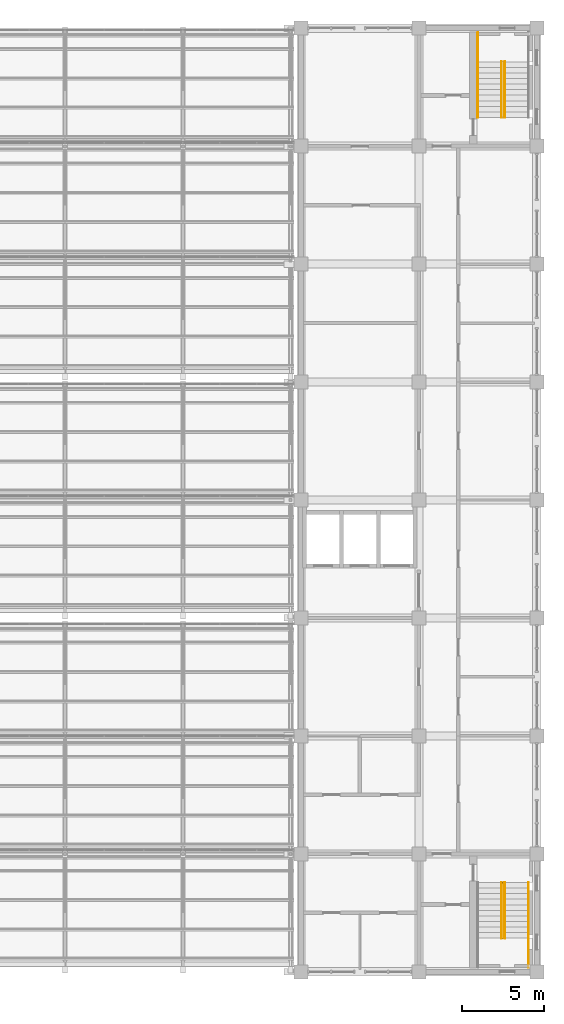
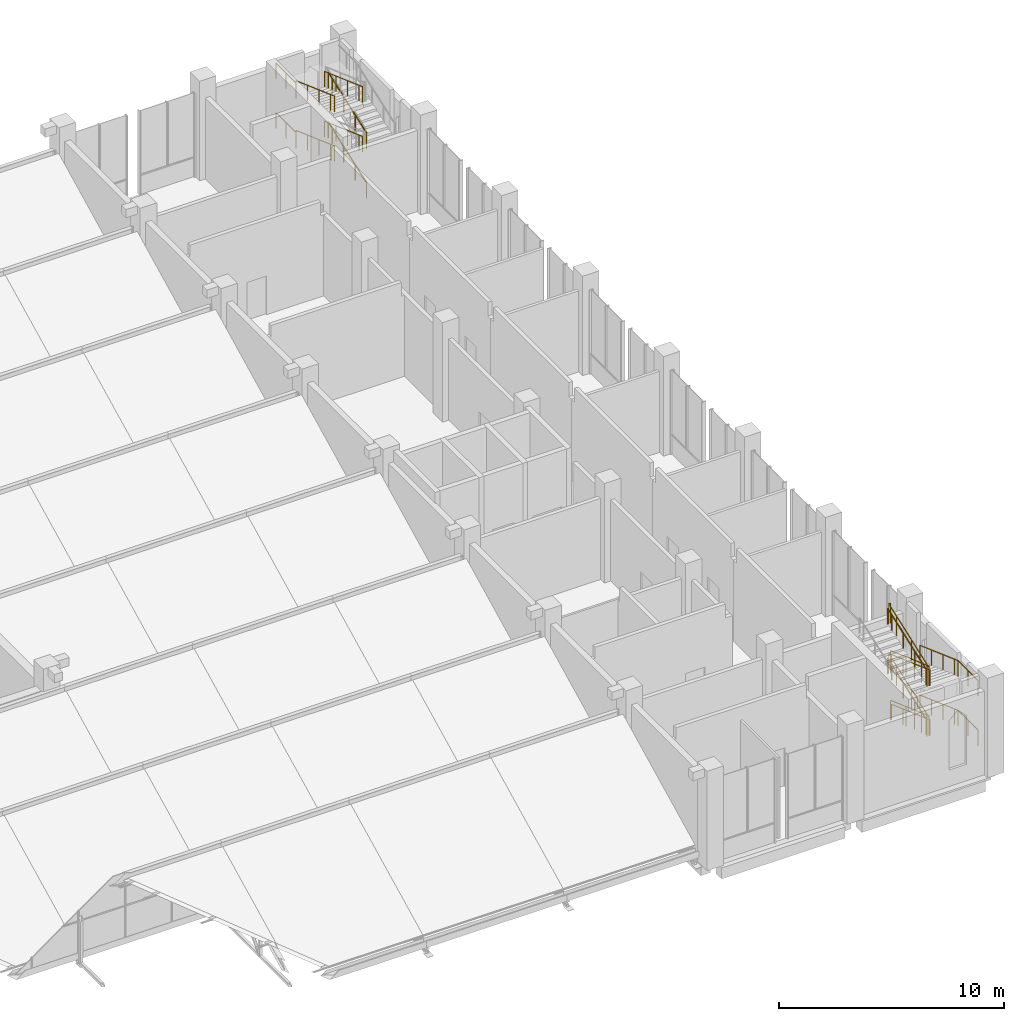
# One storey, part 82 of 83: 13 railings.
"""IFC4 building model written with IfcOpenShell, lengths in metres."""

import ifcopenshell
import ifcopenshell.guid

model = None  # the IFC model being written
_history = None  # IfcOwnerHistory: only IFC2X3 demands one
_inside = {}  # id of a spatial element -> (the spatial element, [elements in it])
_under = {}  # id of a project, library or spatial element -> (it, [spatial elements below it])
_declared = {}  # id of a project -> (the project, [libraries it declares])
_typed = {}  # id of a type object -> (the type object, [elements of that type])
_made_of = {}  # id of a material, layer set ... -> (it, [elements and type objects made of it])


def new_model(schema):
    """Start an empty IFC model of exactly this schema.

    Asked for "IFC4X3", IfcOpenShell would pick the latest addendum, in which some entities
    have other attributes; the version numbers below select the first issue.
    IFC2X3 requires an IfcOwnerHistory on every rooted entity: one is made here for all.
    """
    global model, _history
    if schema == "IFC4X3":
        model = ifcopenshell.file(schema_version=(4, 3, 0, 0))
    else:
        model = ifcopenshell.file(schema=schema)
    _inside.clear()
    _under.clear()
    _declared.clear()
    _typed.clear()
    _made_of.clear()
    _history = None
    if model.schema == "IFC2X3":
        org = make("IfcOrganization", Name="unknown")
        user = make(
            "IfcPersonAndOrganization",
            ThePerson=make("IfcPerson", FamilyName="unknown"),
            TheOrganization=org,
        )
        app = make(
            "IfcApplication",
            ApplicationDeveloper=org,
            Version="unknown",
            ApplicationFullName="unknown",
            ApplicationIdentifier="unknown",
        )
        _history = make(
            "IfcOwnerHistory",
            OwningUser=user,
            OwningApplication=app,
            ChangeAction="ADDED",
            CreationDate=0,
        )
    return model


def make(cls, **values):
    """One entity of the class cls with the attributes given. An attribute that is None is left unset."""
    return model.create_entity(
        cls, **{name: value for name, value in values.items() if value is not None}
    )


def rooted(cls, **values):
    """An entity with a GlobalId (a new one), such as an element, a storey or a relation."""
    return make(cls, GlobalId=ifcopenshell.guid.new(), OwnerHistory=_history, **values)


def si_unit(unit_type, name, prefix=None):
    """IfcSIUnit, for example si_unit("LENGTHUNIT", "METRE", prefix="MILLI")."""
    return make("IfcSIUnit", UnitType=unit_type, Prefix=prefix, Name=name)


def assignment(units):
    """IfcUnitAssignment: the units of a project."""
    return None if units is None else make("IfcUnitAssignment", Units=units)


def point(xyz):
    """IfcCartesianPoint."""
    return None if xyz is None else make("IfcCartesianPoint", Coordinates=xyz)


def direction(xyz):
    """IfcDirection."""
    return None if xyz is None else make("IfcDirection", DirectionRatios=xyz)


def frame(location, z_axis=None, x_axis=None):
    """IfcAxis2Placement3D, a coordinate frame: its origin and axes. An axis left out is left unset."""
    return make(
        "IfcAxis2Placement3D",
        Location=point(location),
        Axis=direction(z_axis),
        RefDirection=direction(x_axis),
    )


def frame_2d(location, x_axis=None):
    """IfcAxis2Placement2D, a coordinate frame in the plane: its origin and x axis."""
    return make(
        "IfcAxis2Placement2D", Location=point(location), RefDirection=direction(x_axis)
    )


def origin():
    """The frame at (0, 0, 0) with its axes left unset."""
    return frame((0.0, 0.0, 0.0))


def origin_2d():
    """The frame at (0, 0) in the plane with its x axis left unset."""
    return frame_2d((0.0, 0.0))


def place(relative_to, where):
    """IfcLocalPlacement: puts the frame where relative to a parent placement (None: the world)."""
    return make(
        "IfcLocalPlacement", PlacementRelTo=relative_to, RelativePlacement=where
    )


def context(
    kind, dimensions, precision=None, world=None, true_north=None, identifier=None
):
    """IfcGeometricRepresentationContext, for example the 3D "Model" context."""
    return make(
        "IfcGeometricRepresentationContext",
        ContextIdentifier=identifier,
        ContextType=kind,
        CoordinateSpaceDimension=dimensions,
        Precision=precision,
        WorldCoordinateSystem=world,
        TrueNorth=true_north,
    )


def subcontext(parent, identifier, kind, view, scale=None):
    """IfcGeometricRepresentationSubContext, for example "Body" below "Model"."""
    return make(
        "IfcGeometricRepresentationSubContext",
        ContextIdentifier=identifier,
        ContextType=kind,
        ParentContext=parent,
        TargetScale=scale,
        TargetView=view,
    )


def project(units=None, contexts=None):
    """IfcProject with its units and contexts."""
    return rooted(
        "IfcProject",
        Name="project",
        RepresentationContexts=contexts,
        UnitsInContext=assignment(units),
    )


def spatial(cls, under=None, at=None, **own):
    """A site, building, storey or space (cls), placed at a placement, below another one or the project."""
    s = rooted(cls, ObjectPlacement=at, **own)
    if under is not None:
        _under.setdefault(under.id(), (under, []))[1].append(s)
    return s


def profile(cls, at=None, kind="AREA", **sizes):
    """A parametric profile (cls). Its sizes go by their IFC names, for example OverallWidth=200.0."""
    return make(cls, ProfileType=kind, Position=at, **sizes)


def circle(**sizes):
    """IfcCircleProfileDef."""
    return profile("IfcCircleProfileDef", **sizes)


def extrude(swept, where, along, depth):
    """IfcExtrudedAreaSolid: the profile swept, set in the frame where, extruded along a direction by depth."""
    return make(
        "IfcExtrudedAreaSolid",
        SweptArea=swept,
        Position=where,
        ExtrudedDirection=direction(along),
        Depth=depth,
    )


def shape(context_of_items, identifier, shape_type, items):
    """IfcShapeRepresentation: the items that make up one representation, for example the "Body"."""
    return make(
        "IfcShapeRepresentation",
        ContextOfItems=context_of_items,
        RepresentationIdentifier=identifier,
        RepresentationType=shape_type,
        Items=items,
    )


def material(Name=None, Category=None):
    """IfcMaterial."""
    return make("IfcMaterial", Name=Name, Category=Category)


def made_of(thing, what):
    """Note that an element or type object is made of a material, layer set ...; save() writes the relation."""
    if what is not None:
        _made_of.setdefault(what.id(), (what, []))[1].append(thing)
    return thing


def type_object(cls, material=None, **own):
    """A type object (cls), such as IfcWallType, which elements share."""
    return made_of(rooted(cls, **own), material)


def element(
    cls,
    number,
    at=None,
    inside=None,
    cuts=None,
    type_object=None,
    material=None,
    context=None,
    identifier="Body",
    shape_type=None,
    held_by="IfcProductDefinitionShape",
    body=None,
    shapes=None,
    **own,
):
    """One element of the class cls, such as IfcWall. Its Tag is "e" and its number.

    at: its placement. inside: the storey or other place that contains it. cuts: it is an
    opening in that element (IfcRelVoidsElement). A single representation is given by context,
    identifier, shape_type and body (its items); several are given by shapes. held_by: the class
    of the entity that holds the representations. save() writes the other relations.
    """
    e = rooted(cls, Tag="e%d" % number, ObjectPlacement=at, **own)
    if body is not None:
        shapes = [shape(context, identifier, shape_type, body)]
    if shapes is not None:
        e.Representation = make(held_by, Representations=shapes)
    if inside is not None:
        _inside.setdefault(inside.id(), (inside, []))[1].append(e)
    if cuts is not None:
        rooted(
            "IfcRelVoidsElement", RelatingBuildingElement=cuts, RelatedOpeningElement=e
        )
    if type_object is not None:
        _typed.setdefault(type_object.id(), (type_object, []))[1].append(e)
    return made_of(e, material)


def aggregate(whole, parts):
    """IfcRelAggregates: a whole, such as a stair, and the parts it consists of."""
    return rooted("IfcRelAggregates", RelatingObject=whole, RelatedObjects=parts)


def save(model, path):
    """Write the relations noted so far, then the file.

    IfcRelAggregates (storeys below a building ...), IfcRelContainedInSpatialStructure (elements
    in a storey), IfcRelDefinesByType, IfcRelAssociatesMaterial and IfcRelDeclares: one each for
    every whole, place, type object, material and project.
    """
    for whole, parts in _under.values():
        aggregate(whole, parts)
    for where, things in _inside.values():
        rooted(
            "IfcRelContainedInSpatialStructure",
            RelatedElements=things,
            RelatingStructure=where,
        )
    for kind, things in _typed.values():
        rooted("IfcRelDefinesByType", RelatedObjects=things, RelatingType=kind)
    for what, things in _made_of.values():
        rooted("IfcRelAssociatesMaterial", RelatedObjects=things, RelatingMaterial=what)
    for by, libraries in _declared.values():
        rooted("IfcRelDeclares", RelatingContext=by, RelatedDefinitions=libraries)
    model.write(path)


model = new_model("IFC4")

# Units and contexts
model_context = context("Model", 3, precision=1e-05, world=origin(), true_north=direction((0.0, 1.0)))
body_context = subcontext(model_context, "Body", "Model", "MODEL_VIEW")
ifc_project = project(units=[si_unit("LENGTHUNIT", "METRE"), si_unit("AREAUNIT", "SQUARE_METRE"), si_unit("VOLUMEUNIT", "CUBIC_METRE"), si_unit("PLANEANGLEUNIT", "RADIAN"), si_unit("MASSUNIT", "GRAM", prefix="KILO")], contexts=[model_context])

# Site, building, storey
site_placement = place(None, origin())
site = spatial("IfcSite", under=ifc_project, at=site_placement, CompositionType="ELEMENT")
building_placement = place(site_placement, origin())
building = spatial("IfcBuilding", under=site, at=building_placement, Name="Silangan Lancet Faculty of Sciences", CompositionType="ELEMENT")
storey_placement = place(building_placement, frame((0.0, 0.0, 11.39990234375)))
storey = spatial("IfcBuildingStorey", under=building, at=storey_placement, Name="L02", CompositionType="ELEMENT", Elevation=11.39990234375)

# Railings
ifc_material_1 = material(Name="Steel balustrade", Category="steel")
railing_type_1 = type_object("IfcRailingType", Name="STAIR GUARD 1100", PredefinedType="GUARDRAIL", material=ifc_material_1)
railing_1_placement = place(storey_placement, frame((84.39990234375, 5.449951171875, 0.122802734375)))
element("IfcRailing", 1, at=railing_1_placement, inside=storey, type_object=railing_type_1, Name="GUARD-EB-A-L02", PredefinedType="GUARDRAIL", context=body_context, shape_type="SweptSolid", body=[
    extrude(circle(Radius=0.02392578125, at=origin_2d()), frame((0.0, 0.0, 1.076171875), z_axis=(0.0, -0.940611573742, 0.339484708555), x_axis=(1.0, 0.0, 0.0)), (0.0, 0.0, 1.0), 2.8916015625),
    extrude(circle(Radius=0.02392578125, at=origin_2d()), frame((0.0, -2.719970703125, 2.0576171875), z_axis=(0.0, -0.940520931127, 0.339735747474), x_axis=(1.0, 0.0, 0.0)), (0.0, 0.0, 1.0), 0.722900390625),
    extrude(circle(Radius=0.02392578125, at=origin_2d()), frame((0.0, -3.39990234375, 2.30322265625), z_axis=(-1.0, 0.0, 0.0), x_axis=(0.0, -1.0, 0.0)), (0.0, 0.0, 1.0), 0.099853515625),
    extrude(circle(Radius=0.02392578125, at=origin_2d()), frame((-0.099853515625, -3.39990234375, 2.30322265625), z_axis=(0.0, 0.0, 1.0), x_axis=(1.0, 0.0, 0.0)), (0.0, 0.0, 1.0), 0.122802734375),
    extrude(circle(Radius=0.02392578125, at=origin_2d()), frame((-0.099853515625, -3.39990234375, 2.42626953125), z_axis=(0.0, 0.940611573742, 0.339484708555), x_axis=(-1.0, 0.0, 0.0)), (0.0, 0.0, 1.0), 2.8916015625),
    extrude(circle(Radius=0.02392578125, at=origin_2d()), frame((-0.099853515625, -0.679931640625, 3.40771484375), z_axis=(0.0, 0.940520931127, 0.339735747474), x_axis=(-1.0, 0.0, 0.0)), (0.0, 0.0, 1.0), 0.722900390625),
    extrude(circle(Radius=0.02392578125, at=origin_2d()), frame((-0.099853515625, 0.0, 3.6533203125), z_axis=(1.0, 0.0, 0.0), x_axis=(0.0, 1.0, 0.0)), (0.0, 0.0, 1.0), 0.099853515625),
    extrude(circle(Radius=0.02392578125, at=origin_2d()), frame((0.0, 0.0, 3.6533203125), z_axis=(0.0, 0.0, 1.0), x_axis=(1.0, 0.0, 0.0)), (0.0, 0.0, 1.0), 0.12255859375),
    extrude(circle(Radius=0.02392578125, at=origin_2d()), frame((0.0, 0.0, 3.77587890625), z_axis=(0.0, -0.940584611748, 0.339559402967), x_axis=(1.0, 0.0, 0.0)), (0.0, 0.0, 1.0), 2.891845703125),
    extrude(circle(Radius=0.02392578125, at=origin_2d()), frame((0.0, -2.719970703125, 4.7578125), z_axis=(0.0, -0.940628803885, 0.339436965136), x_axis=(1.0, 0.0, 0.0)), (0.0, 0.0, 1.0), 0.722900390625),
    extrude(circle(Radius=0.02392578125, at=origin_2d()), frame((0.0, -3.39990234375, 5.00341796875), z_axis=(-1.0, 0.0, 0.0), x_axis=(0.0, -1.0, 0.0)), (0.0, 0.0, 1.0), 0.099853515625),
    extrude(circle(Radius=0.02392578125, at=origin_2d()), frame((-0.099853515625, -3.39990234375, 5.00341796875), z_axis=(0.0, 0.0, 1.0), x_axis=(1.0, 0.0, 0.0)), (0.0, 0.0, 1.0), 0.122802734375),
    extrude(circle(Radius=0.02392578125, at=origin_2d()), frame((-0.099853515625, -3.39990234375, 5.1259765625), z_axis=(0.0, 0.940611573742, 0.339484708555), x_axis=(-1.0, 0.0, 0.0)), (0.0, 0.0, 1.0), 2.8916015625),
    extrude(circle(Radius=0.02392578125, at=origin_2d()), frame((-0.099853515625, -0.679931640625, 6.10791015625), z_axis=(0.0, 0.940520931127, 0.339735747474), x_axis=(-1.0, 0.0, 0.0)), (0.0, 0.0, 1.0), 0.722900390625),
    extrude(circle(Radius=0.02392578125, at=origin_2d()), frame((-0.099853515625, 0.0, 6.353515625), z_axis=(1.0, 0.0, 0.0), x_axis=(0.0, 1.0, 0.0)), (0.0, 0.0, 1.0), 0.099853515625),
    extrude(circle(Radius=0.02099609375, at=origin_2d()), origin(), (0.0, 0.0, 1.0), 1.052001953125),
    extrude(circle(Radius=0.02099609375, at=origin_2d()), frame((0.0, -1.35986328125, 0.49072265625)), (0.0, 0.0, 1.0), 1.052001953125),
    extrude(circle(Radius=0.02099609375, at=origin_2d()), frame((0.0, -2.719970703125, 0.981689453125)), (0.0, 0.0, 1.0), 1.052001953125),
    extrude(circle(Radius=0.02099609375, at=origin_2d()), frame((0.0, -3.39990234375, 1.227294921875)), (0.0, 0.0, 1.0), 1.052001953125),
    extrude(circle(Radius=0.02099609375, at=origin_2d()), frame((-0.099853515625, -3.39990234375, 1.227294921875)), (0.0, 0.0, 1.0), 1.052001953125),
    extrude(circle(Radius=0.02099609375, at=origin_2d()), frame((-0.099853515625, -3.39990234375, 1.35009765625)), (0.0, 0.0, 1.0), 1.052001953125),
    extrude(circle(Radius=0.02099609375, at=origin_2d()), frame((-0.099853515625, -2.0400390625, 1.8408203125)), (0.0, 0.0, 1.0), 1.052001953125),
    extrude(circle(Radius=0.02099609375, at=origin_2d()), frame((-0.099853515625, -0.679931640625, 2.331787109375)), (0.0, 0.0, 1.0), 1.052001953125),
    extrude(circle(Radius=0.02099609375, at=origin_2d()), frame((-0.099853515625, 0.0, 2.577392578125)), (0.0, 0.0, 1.0), 1.052001953125),
    extrude(circle(Radius=0.02099609375, at=origin_2d()), frame((0.0, 0.0, 2.577392578125)), (0.0, 0.0, 1.0), 1.052001953125),
    extrude(circle(Radius=0.02099609375, at=origin_2d()), frame((0.0, 0.0, 2.699951171875)), (0.0, 0.0, 1.0), 1.052001953125),
    extrude(circle(Radius=0.02099609375, at=origin_2d()), frame((0.0, -1.35986328125, 3.19091796875)), (0.0, 0.0, 1.0), 1.052001953125),
    extrude(circle(Radius=0.02099609375, at=origin_2d()), frame((0.0, -2.719970703125, 3.681884765625)), (0.0, 0.0, 1.0), 1.052001953125),
    extrude(circle(Radius=0.02099609375, at=origin_2d()), frame((0.0, -3.39990234375, 3.92724609375)), (0.0, 0.0, 1.0), 1.052001953125),
    extrude(circle(Radius=0.02099609375, at=origin_2d()), frame((-0.099853515625, -3.39990234375, 3.92724609375)), (0.0, 0.0, 1.0), 1.052001953125),
    extrude(circle(Radius=0.02099609375, at=origin_2d()), frame((-0.099853515625, -3.39990234375, 4.050048828125)), (0.0, 0.0, 1.0), 1.052001953125),
    extrude(circle(Radius=0.02099609375, at=origin_2d()), frame((-0.099853515625, -2.0400390625, 4.541015625)), (0.0, 0.0, 1.0), 1.052001953125),
    extrude(circle(Radius=0.02099609375, at=origin_2d()), frame((-0.099853515625, -0.679931640625, 5.03173828125)), (0.0, 0.0, 1.0), 1.052001953125),
    extrude(circle(Radius=0.02099609375, at=origin_2d()), frame((-0.099853515625, 0.0, 5.27734375)), (0.0, 0.0, 1.0), 1.052001953125),
    extrude(circle(Radius=0.02099609375, at=origin_2d()), frame((0.0, 0.0, 5.27734375)), (0.0, 0.0, 1.0), 1.052001953125),
])
ifc_material_2 = material(Name="Stainless steel", Category="steel")
railing_type_2 = type_object("IfcRailingType", Name="STAIR HANDRAIL 865", PredefinedType="HANDRAIL", material=ifc_material_2)
railing_2_placement = place(storey_placement, frame((85.89990234375, 5.449951171875, 0.122802734375)))
element("IfcRailing", 2, at=railing_2_placement, inside=storey, type_object=railing_type_2, Name="HANDRAIL-EB-A-L02-O1", PredefinedType="HANDRAIL", context=body_context, shape_type="SweptSolid", body=[
    extrude(circle(Radius=0.02392578125, at=origin_2d()), frame((0.0, 0.0, 0.8408203125), z_axis=(0.0, -0.94060583065, 0.339500620541), x_axis=(1.0, 0.0, 0.0)), (0.0, 0.0, 1.0), 1.08447265625),
    extrude(circle(Radius=0.02392578125, at=origin_2d()), frame((0.0, -1.02001953125, 1.208984375), z_axis=(0.0, -0.94060583065, 0.339500620541), x_axis=(1.0, 0.0, 0.0)), (0.0, 0.0, 1.0), 1.08447265625),
    extrude(circle(Radius=0.02392578125, at=origin_2d()), frame((0.0, -2.0400390625, 1.5771484375), z_axis=(0.0, -0.94060583065, 0.339500620541), x_axis=(1.0, 0.0, 0.0)), (0.0, 0.0, 1.0), 1.08447265625),
    extrude(circle(Radius=0.02392578125, at=origin_2d()), frame((0.0, -3.06005859375, 1.9453125), z_axis=(0.0, -0.940481933992, 0.339843687355), x_axis=(1.0, 0.0, 0.0)), (0.0, 0.0, 1.0), 0.361328125),
    extrude(circle(Radius=0.02392578125, at=origin_2d()), frame((0.0, -3.39990234375, 2.068359375), z_axis=(0.0, -1.0, 0.0), x_axis=(1.0, 0.0, 0.0)), (0.0, 0.0, 1.0), 1.775146484375),
    extrude(circle(Radius=0.02099609375, at=origin_2d()), origin(), (0.0, 0.0, 1.0), 0.81689453125),
    extrude(circle(Radius=0.02099609375, at=origin_2d()), frame((0.0, -1.02001953125, 0.3681640625)), (0.0, 0.0, 1.0), 0.81689453125),
    extrude(circle(Radius=0.02099609375, at=origin_2d()), frame((0.0, -2.0400390625, 0.736328125)), (0.0, 0.0, 1.0), 0.81689453125),
    extrude(circle(Radius=0.02099609375, at=origin_2d()), frame((0.0, -3.06005859375, 1.1044921875)), (0.0, 0.0, 1.0), 0.81689453125),
    extrude(circle(Radius=0.02099609375, at=origin_2d()), frame((0.0, -3.39990234375, 1.227294921875)), (0.0, 0.0, 1.0), 0.81689453125),
    extrude(circle(Radius=0.02099609375, at=origin_2d()), frame((0.0, -4.28759765625, 1.227294921875)), (0.0, 0.0, 1.0), 0.81689453125),
    extrude(circle(Radius=0.02099609375, at=origin_2d()), frame((0.0, -5.175048828125, 1.227294921875)), (0.0, 0.0, 1.0), 0.81689453125),
])
railing_3_placement = place(storey_placement, frame((84.449951171875, 5.449951171875, 0.122802734375)))
element("IfcRailing", 3, at=railing_3_placement, inside=storey, type_object=railing_type_2, Name="HANDRAIL-EB-A-L02-I1", PredefinedType="HANDRAIL", context=body_context, shape_type="SweptSolid", body=[
    extrude(circle(Radius=0.02392578125, at=origin_2d()), frame((0.0, 0.0, 0.8408203125), z_axis=(0.0, -0.94060583065, 0.339500620541), x_axis=(1.0, 0.0, 0.0)), (0.0, 0.0, 1.0), 1.08447265625),
    extrude(circle(Radius=0.02392578125, at=origin_2d()), frame((0.0, -1.02001953125, 1.208984375), z_axis=(0.0, -0.94060583065, 0.339500620541), x_axis=(1.0, 0.0, 0.0)), (0.0, 0.0, 1.0), 1.08447265625),
    extrude(circle(Radius=0.02392578125, at=origin_2d()), frame((0.0, -2.0400390625, 1.5771484375), z_axis=(0.0, -0.94060583065, 0.339500620541), x_axis=(1.0, 0.0, 0.0)), (0.0, 0.0, 1.0), 1.08447265625),
    extrude(circle(Radius=0.02392578125, at=origin_2d()), frame((0.0, -3.06005859375, 1.9453125), z_axis=(0.0, -0.940481933992, 0.339843687355), x_axis=(1.0, 0.0, 0.0)), (0.0, 0.0, 1.0), 0.361328125),
    extrude(circle(Radius=0.02099609375, at=origin_2d()), origin(), (0.0, 0.0, 1.0), 0.81689453125),
    extrude(circle(Radius=0.02099609375, at=origin_2d()), frame((0.0, -1.02001953125, 0.3681640625)), (0.0, 0.0, 1.0), 0.81689453125),
    extrude(circle(Radius=0.02099609375, at=origin_2d()), frame((0.0, -2.0400390625, 0.736328125)), (0.0, 0.0, 1.0), 0.81689453125),
    extrude(circle(Radius=0.02099609375, at=origin_2d()), frame((0.0, -3.06005859375, 1.1044921875)), (0.0, 0.0, 1.0), 0.81689453125),
    extrude(circle(Radius=0.02099609375, at=origin_2d()), frame((0.0, -3.39990234375, 1.227294921875)), (0.0, 0.0, 1.0), 0.81689453125),
])
railing_4_placement = place(storey_placement, frame((84.25, 2.050048828125, 1.472900390625)))
element("IfcRailing", 4, at=railing_4_placement, inside=storey, type_object=railing_type_2, Name="HANDRAIL-EB-A-L02-I2", PredefinedType="HANDRAIL", context=body_context, shape_type="SweptSolid", body=[
    extrude(circle(Radius=0.02392578125, at=origin_2d()), frame((0.0, 0.0, 0.8408203125), z_axis=(0.0, 0.94060583065, 0.339500620541), x_axis=(-1.0, 0.0, 0.0)), (0.0, 0.0, 1.0), 1.08447265625),
    extrude(circle(Radius=0.02392578125, at=origin_2d()), frame((0.0, 1.02001953125, 1.208984375), z_axis=(0.0, 0.94060583065, 0.339500620541), x_axis=(-1.0, 0.0, 0.0)), (0.0, 0.0, 1.0), 1.08447265625),
    extrude(circle(Radius=0.02392578125, at=origin_2d()), frame((0.0, 2.0400390625, 1.5771484375), z_axis=(0.0, 0.94060583065, 0.339500620541), x_axis=(-1.0, 0.0, 0.0)), (0.0, 0.0, 1.0), 1.08447265625),
    extrude(circle(Radius=0.02392578125, at=origin_2d()), frame((0.0, 3.06005859375, 1.9453125), z_axis=(0.0, 0.940481933992, 0.339843687355), x_axis=(-1.0, 0.0, 0.0)), (0.0, 0.0, 1.0), 0.361328125),
    extrude(circle(Radius=0.02099609375, at=origin_2d()), origin(), (0.0, 0.0, 1.0), 0.81689453125),
    extrude(circle(Radius=0.02099609375, at=origin_2d()), frame((0.0, 1.02001953125, 0.3681640625)), (0.0, 0.0, 1.0), 0.81689453125),
    extrude(circle(Radius=0.02099609375, at=origin_2d()), frame((0.0, 2.0400390625, 0.736328125)), (0.0, 0.0, 1.0), 0.81689453125),
    extrude(circle(Radius=0.02099609375, at=origin_2d()), frame((0.0, 3.06005859375, 1.1044921875)), (0.0, 0.0, 1.0), 0.81689453125),
    extrude(circle(Radius=0.02099609375, at=origin_2d()), frame((0.0, 3.39990234375, 1.227294921875)), (0.0, 0.0, 1.0), 0.81689453125),
])
railing_5_placement = place(storey_placement, frame((85.89990234375, 5.449951171875, 2.82275390625)))
element("IfcRailing", 5, at=railing_5_placement, inside=storey, type_object=railing_type_2, Name="HANDRAIL-EB-A-L02-O3", PredefinedType="HANDRAIL", context=body_context, shape_type="SweptSolid", body=[
    extrude(circle(Radius=0.02392578125, at=origin_2d()), frame((0.0, 0.0, 0.8408203125), z_axis=(0.0, -0.94060583065, 0.339500620541), x_axis=(1.0, 0.0, 0.0)), (0.0, 0.0, 1.0), 1.08447265625),
    extrude(circle(Radius=0.02392578125, at=origin_2d()), frame((0.0, -1.02001953125, 1.208984375), z_axis=(0.0, -0.94060583065, 0.339500620541), x_axis=(1.0, 0.0, 0.0)), (0.0, 0.0, 1.0), 1.08447265625),
    extrude(circle(Radius=0.02392578125, at=origin_2d()), frame((0.0, -2.0400390625, 1.5771484375), z_axis=(0.0, -0.940533921917, 0.339699781755), x_axis=(1.0, 0.0, 0.0)), (0.0, 0.0, 1.0), 1.08447265625),
    extrude(circle(Radius=0.02392578125, at=origin_2d()), frame((0.0, -3.06005859375, 1.94580078125), z_axis=(0.0, -0.940697737464, 0.339245879459), x_axis=(1.0, 0.0, 0.0)), (0.0, 0.0, 1.0), 0.361328125),
    extrude(circle(Radius=0.02392578125, at=origin_2d()), frame((0.0, -3.39990234375, 2.068359375), z_axis=(0.0, -1.0, 0.0), x_axis=(1.0, 0.0, 0.0)), (0.0, 0.0, 1.0), 1.775146484375),
    extrude(circle(Radius=0.02099609375, at=origin_2d()), origin(), (0.0, 0.0, 1.0), 0.81689453125),
    extrude(circle(Radius=0.02099609375, at=origin_2d()), frame((0.0, -1.02001953125, 0.3681640625)), (0.0, 0.0, 1.0), 0.81689453125),
    extrude(circle(Radius=0.02099609375, at=origin_2d()), frame((0.0, -2.0400390625, 0.736328125)), (0.0, 0.0, 1.0), 0.81689453125),
    extrude(circle(Radius=0.02099609375, at=origin_2d()), frame((0.0, -3.06005859375, 1.104736328125)), (0.0, 0.0, 1.0), 0.81689453125),
    extrude(circle(Radius=0.02099609375, at=origin_2d()), frame((0.0, -3.39990234375, 1.227294921875)), (0.0, 0.0, 1.0), 0.81689453125),
    extrude(circle(Radius=0.02099609375, at=origin_2d()), frame((0.0, -4.28759765625, 1.227294921875)), (0.0, 0.0, 1.0), 0.81689453125),
    extrude(circle(Radius=0.02099609375, at=origin_2d()), frame((0.0, -5.175048828125, 1.227294921875)), (0.0, 0.0, 1.0), 0.81689453125),
])
railing_6_placement = place(storey_placement, frame((84.449951171875, 5.449951171875, 2.82275390625)))
element("IfcRailing", 6, at=railing_6_placement, inside=storey, type_object=railing_type_2, Name="HANDRAIL-EB-A-L02-I3", PredefinedType="HANDRAIL", context=body_context, shape_type="SweptSolid", body=[
    extrude(circle(Radius=0.02392578125, at=origin_2d()), frame((0.0, 0.0, 0.8408203125), z_axis=(0.0, -0.94060583065, 0.339500620541), x_axis=(1.0, 0.0, 0.0)), (0.0, 0.0, 1.0), 1.08447265625),
    extrude(circle(Radius=0.02392578125, at=origin_2d()), frame((0.0, -1.02001953125, 1.208984375), z_axis=(0.0, -0.94060583065, 0.339500620541), x_axis=(1.0, 0.0, 0.0)), (0.0, 0.0, 1.0), 1.08447265625),
    extrude(circle(Radius=0.02392578125, at=origin_2d()), frame((0.0, -2.0400390625, 1.5771484375), z_axis=(0.0, -0.940533921917, 0.339699781755), x_axis=(1.0, 0.0, 0.0)), (0.0, 0.0, 1.0), 1.08447265625),
    extrude(circle(Radius=0.02392578125, at=origin_2d()), frame((0.0, -3.06005859375, 1.94580078125), z_axis=(0.0, -0.940697737464, 0.339245879459), x_axis=(1.0, 0.0, 0.0)), (0.0, 0.0, 1.0), 0.361328125),
    extrude(circle(Radius=0.02099609375, at=origin_2d()), origin(), (0.0, 0.0, 1.0), 0.81689453125),
    extrude(circle(Radius=0.02099609375, at=origin_2d()), frame((0.0, -1.02001953125, 0.3681640625)), (0.0, 0.0, 1.0), 0.81689453125),
    extrude(circle(Radius=0.02099609375, at=origin_2d()), frame((0.0, -2.0400390625, 0.736328125)), (0.0, 0.0, 1.0), 0.81689453125),
    extrude(circle(Radius=0.02099609375, at=origin_2d()), frame((0.0, -3.06005859375, 1.104736328125)), (0.0, 0.0, 1.0), 0.81689453125),
    extrude(circle(Radius=0.02099609375, at=origin_2d()), frame((0.0, -3.39990234375, 1.227294921875)), (0.0, 0.0, 1.0), 0.81689453125),
])
railing_7_placement = place(storey_placement, frame((84.25, 2.050048828125, 4.1728515625)))
element("IfcRailing", 7, at=railing_7_placement, inside=storey, type_object=railing_type_2, Name="HANDRAIL-EB-A-L02-I4", PredefinedType="HANDRAIL", context=body_context, shape_type="SweptSolid", body=[
    extrude(circle(Radius=0.02392578125, at=origin_2d()), frame((0.0, 0.0, 0.8408203125), z_axis=(0.0, 0.94060583065, 0.339500620541), x_axis=(-1.0, 0.0, 0.0)), (0.0, 0.0, 1.0), 1.08447265625),
    extrude(circle(Radius=0.02392578125, at=origin_2d()), frame((0.0, 1.02001953125, 1.208984375), z_axis=(0.0, 0.94060583065, 0.339500620541), x_axis=(-1.0, 0.0, 0.0)), (0.0, 0.0, 1.0), 1.08447265625),
    extrude(circle(Radius=0.02392578125, at=origin_2d()), frame((0.0, 2.0400390625, 1.5771484375), z_axis=(0.0, 0.94060583065, 0.339500620541), x_axis=(-1.0, 0.0, 0.0)), (0.0, 0.0, 1.0), 1.08447265625),
    extrude(circle(Radius=0.02392578125, at=origin_2d()), frame((0.0, 3.06005859375, 1.9453125), z_axis=(0.0, 0.940481933992, 0.339843687355), x_axis=(-1.0, 0.0, 0.0)), (0.0, 0.0, 1.0), 0.361328125),
    extrude(circle(Radius=0.02099609375, at=origin_2d()), origin(), (0.0, 0.0, 1.0), 0.81689453125),
    extrude(circle(Radius=0.02099609375, at=origin_2d()), frame((0.0, 1.02001953125, 0.3681640625)), (0.0, 0.0, 1.0), 0.81689453125),
    extrude(circle(Radius=0.02099609375, at=origin_2d()), frame((0.0, 2.0400390625, 0.736328125)), (0.0, 0.0, 1.0), 0.81689453125),
    extrude(circle(Radius=0.02099609375, at=origin_2d()), frame((0.0, 3.06005859375, 1.1044921875)), (0.0, 0.0, 1.0), 0.81689453125),
    extrude(circle(Radius=0.02099609375, at=origin_2d()), frame((0.0, 3.39990234375, 1.227294921875)), (0.0, 0.0, 1.0), 0.81689453125),
])
railing_8_placement = place(storey_placement, frame((84.449951171875, 52.14990234375, 0.122802734375)))
element("IfcRailing", 8, at=railing_8_placement, inside=storey, type_object=railing_type_2, Name="HANDRAIL-EB-B-L02-I1", PredefinedType="HANDRAIL", context=body_context, shape_type="SweptSolid", body=[
    extrude(circle(Radius=0.02392578125, at=origin_2d()), frame((0.0, 0.0, 0.8408203125), z_axis=(0.0, 0.94060583065, 0.339500620541), x_axis=(-1.0, 0.0, 0.0)), (0.0, 0.0, 1.0), 1.08447265625),
    extrude(circle(Radius=0.02392578125, at=origin_2d()), frame((0.0, 1.02001953125, 1.208984375), z_axis=(0.0, 0.94060583065, 0.339500620541), x_axis=(-1.0, 0.0, 0.0)), (0.0, 0.0, 1.0), 1.08447265625),
    extrude(circle(Radius=0.02392578125, at=origin_2d()), frame((0.0, 2.0400390625, 1.5771484375), z_axis=(0.0, 0.94060583065, 0.339500620541), x_axis=(-1.0, 0.0, 0.0)), (0.0, 0.0, 1.0), 1.08447265625),
    extrude(circle(Radius=0.02392578125, at=origin_2d()), frame((0.0, 3.06005859375, 1.9453125), z_axis=(0.0, 0.940559891121, 0.339627871668), x_axis=(-1.0, 0.0, 0.0)), (0.0, 0.0, 1.0), 0.361572265625),
    extrude(circle(Radius=0.02099609375, at=origin_2d()), origin(), (0.0, 0.0, 1.0), 0.81689453125),
    extrude(circle(Radius=0.02099609375, at=origin_2d()), frame((0.0, 1.02001953125, 0.3681640625)), (0.0, 0.0, 1.0), 0.81689453125),
    extrude(circle(Radius=0.02099609375, at=origin_2d()), frame((0.0, 2.0400390625, 0.736328125)), (0.0, 0.0, 1.0), 0.81689453125),
    extrude(circle(Radius=0.02099609375, at=origin_2d()), frame((0.0, 3.06005859375, 1.1044921875)), (0.0, 0.0, 1.0), 0.81689453125),
    extrude(circle(Radius=0.02099609375, at=origin_2d()), frame((0.0, 3.400146484375, 1.227294921875)), (0.0, 0.0, 1.0), 0.81689453125),
])
railing_9_placement = place(storey_placement, frame((82.800048828125, 57.324951171875, 1.35009765625)))
element("IfcRailing", 9, at=railing_9_placement, inside=storey, type_object=railing_type_2, Name="HANDRAIL-EB-B-L02-O2", PredefinedType="HANDRAIL", context=body_context, shape_type="SweptSolid", body=[
    extrude(circle(Radius=0.02392578125, at=origin_2d()), frame((0.0, 0.0, 0.8408203125), z_axis=(0.0, -1.0, 0.0), x_axis=(1.0, 0.0, 0.0)), (0.0, 0.0, 1.0), 1.77490234375),
    extrude(circle(Radius=0.02392578125, at=origin_2d()), frame((0.0, -1.77490234375, 0.8408203125), z_axis=(0.0, 0.0, 1.0), x_axis=(1.0, 0.0, 0.0)), (0.0, 0.0, 1.0), 0.122802734375),
    extrude(circle(Radius=0.02392578125, at=origin_2d()), frame((0.0, -1.77490234375, 0.9638671875), z_axis=(0.0, -0.94060583065, 0.339500620541), x_axis=(1.0, 0.0, 0.0)), (0.0, 0.0, 1.0), 1.08447265625),
    extrude(circle(Radius=0.02392578125, at=origin_2d()), frame((0.0, -2.794921875, 1.33203125), z_axis=(0.0, -0.94060583065, 0.339500620541), x_axis=(1.0, 0.0, 0.0)), (0.0, 0.0, 1.0), 1.08447265625),
    extrude(circle(Radius=0.02392578125, at=origin_2d()), frame((0.0, -3.81494140625, 1.7001953125), z_axis=(0.0, -0.94060583065, 0.339500620541), x_axis=(1.0, 0.0, 0.0)), (0.0, 0.0, 1.0), 1.08447265625),
    extrude(circle(Radius=0.02392578125, at=origin_2d()), frame((0.0, -4.8349609375, 2.068359375), z_axis=(0.0, -0.940559891121, 0.339627871668), x_axis=(1.0, 0.0, 0.0)), (0.0, 0.0, 1.0), 0.361572265625),
    extrude(circle(Radius=0.02099609375, at=origin_2d()), origin(), (0.0, 0.0, 1.0), 0.81689453125),
    extrude(circle(Radius=0.02099609375, at=origin_2d()), frame((0.0, -0.887451171875, 0.0)), (0.0, 0.0, 1.0), 0.81689453125),
    extrude(circle(Radius=0.02099609375, at=origin_2d()), frame((0.0, -1.77490234375, 0.0)), (0.0, 0.0, 1.0), 0.81689453125),
    extrude(circle(Radius=0.02099609375, at=origin_2d()), frame((0.0, -1.77490234375, 0.122802734375)), (0.0, 0.0, 1.0), 0.81689453125),
    extrude(circle(Radius=0.02099609375, at=origin_2d()), frame((0.0, -2.794921875, 0.490966796875)), (0.0, 0.0, 1.0), 0.81689453125),
    extrude(circle(Radius=0.02099609375, at=origin_2d()), frame((0.0, -3.81494140625, 0.859130859375)), (0.0, 0.0, 1.0), 0.81689453125),
    extrude(circle(Radius=0.02099609375, at=origin_2d()), frame((0.0, -4.8349609375, 1.227294921875)), (0.0, 0.0, 1.0), 0.81689453125),
    extrude(circle(Radius=0.02099609375, at=origin_2d()), frame((0.0, -5.175048828125, 1.35009765625)), (0.0, 0.0, 1.0), 0.81689453125),
])
railing_10_placement = place(storey_placement, frame((84.25, 55.550048828125, 1.472900390625)))
element("IfcRailing", 10, at=railing_10_placement, inside=storey, type_object=railing_type_2, Name="HANDRAIL-EB-B-L02-I2", PredefinedType="HANDRAIL", context=body_context, shape_type="SweptSolid", body=[
    extrude(circle(Radius=0.02392578125, at=origin_2d()), frame((0.0, 0.0, 0.8408203125), z_axis=(0.0, -0.94060583065, 0.339500620541), x_axis=(1.0, 0.0, 0.0)), (0.0, 0.0, 1.0), 1.08447265625),
    extrude(circle(Radius=0.02392578125, at=origin_2d()), frame((0.0, -1.02001953125, 1.208984375), z_axis=(0.0, -0.94060583065, 0.339500620541), x_axis=(1.0, 0.0, 0.0)), (0.0, 0.0, 1.0), 1.08447265625),
    extrude(circle(Radius=0.02392578125, at=origin_2d()), frame((0.0, -2.0400390625, 1.5771484375), z_axis=(0.0, -0.94060583065, 0.339500620541), x_axis=(1.0, 0.0, 0.0)), (0.0, 0.0, 1.0), 1.08447265625),
    extrude(circle(Radius=0.02392578125, at=origin_2d()), frame((0.0, -3.06005859375, 1.9453125), z_axis=(0.0, -0.940559891121, 0.339627871668), x_axis=(1.0, 0.0, 0.0)), (0.0, 0.0, 1.0), 0.361572265625),
    extrude(circle(Radius=0.02099609375, at=origin_2d()), origin(), (0.0, 0.0, 1.0), 0.81689453125),
    extrude(circle(Radius=0.02099609375, at=origin_2d()), frame((0.0, -1.02001953125, 0.3681640625)), (0.0, 0.0, 1.0), 0.81689453125),
    extrude(circle(Radius=0.02099609375, at=origin_2d()), frame((0.0, -2.0400390625, 0.736328125)), (0.0, 0.0, 1.0), 0.81689453125),
    extrude(circle(Radius=0.02099609375, at=origin_2d()), frame((0.0, -3.06005859375, 1.1044921875)), (0.0, 0.0, 1.0), 0.81689453125),
    extrude(circle(Radius=0.02099609375, at=origin_2d()), frame((0.0, -3.400146484375, 1.227294921875)), (0.0, 0.0, 1.0), 0.81689453125),
])
railing_11_placement = place(storey_placement, frame((84.449951171875, 52.14990234375, 2.82275390625)))
element("IfcRailing", 11, at=railing_11_placement, inside=storey, type_object=railing_type_2, Name="HANDRAIL-EB-B-L02-I3", PredefinedType="HANDRAIL", context=body_context, shape_type="SweptSolid", body=[
    extrude(circle(Radius=0.02392578125, at=origin_2d()), frame((0.0, 0.0, 0.8408203125), z_axis=(0.0, 0.94060583065, 0.339500620541), x_axis=(-1.0, 0.0, 0.0)), (0.0, 0.0, 1.0), 1.08447265625),
    extrude(circle(Radius=0.02392578125, at=origin_2d()), frame((0.0, 1.02001953125, 1.208984375), z_axis=(0.0, 0.94060583065, 0.339500620541), x_axis=(-1.0, 0.0, 0.0)), (0.0, 0.0, 1.0), 1.08447265625),
    extrude(circle(Radius=0.02392578125, at=origin_2d()), frame((0.0, 2.0400390625, 1.5771484375), z_axis=(0.0, 0.940533921917, 0.339699781755), x_axis=(-1.0, 0.0, 0.0)), (0.0, 0.0, 1.0), 1.08447265625),
    extrude(circle(Radius=0.02392578125, at=origin_2d()), frame((0.0, 3.06005859375, 1.94580078125), z_axis=(0.0, 0.940775438362, 0.339030344622), x_axis=(-1.0, 0.0, 0.0)), (0.0, 0.0, 1.0), 0.361572265625),
    extrude(circle(Radius=0.02099609375, at=origin_2d()), origin(), (0.0, 0.0, 1.0), 0.81689453125),
    extrude(circle(Radius=0.02099609375, at=origin_2d()), frame((0.0, 1.02001953125, 0.3681640625)), (0.0, 0.0, 1.0), 0.81689453125),
    extrude(circle(Radius=0.02099609375, at=origin_2d()), frame((0.0, 2.0400390625, 0.736328125)), (0.0, 0.0, 1.0), 0.81689453125),
    extrude(circle(Radius=0.02099609375, at=origin_2d()), frame((0.0, 3.06005859375, 1.104736328125)), (0.0, 0.0, 1.0), 0.81689453125),
    extrude(circle(Radius=0.02099609375, at=origin_2d()), frame((0.0, 3.400146484375, 1.227294921875)), (0.0, 0.0, 1.0), 0.81689453125),
])
railing_12_placement = place(storey_placement, frame((82.800048828125, 57.324951171875, 4.050048828125)))
element("IfcRailing", 12, at=railing_12_placement, inside=storey, type_object=railing_type_2, Name="HANDRAIL-EB-B-L02-O4", PredefinedType="HANDRAIL", context=body_context, shape_type="SweptSolid", body=[
    extrude(circle(Radius=0.02392578125, at=origin_2d()), frame((0.0, 0.0, 0.8408203125), z_axis=(0.0, -1.0, 0.0), x_axis=(1.0, 0.0, 0.0)), (0.0, 0.0, 1.0), 1.77490234375),
    extrude(circle(Radius=0.02392578125, at=origin_2d()), frame((0.0, -1.77490234375, 0.8408203125), z_axis=(0.0, 0.0, 1.0), x_axis=(1.0, 0.0, 0.0)), (0.0, 0.0, 1.0), 0.122802734375),
    extrude(circle(Radius=0.02392578125, at=origin_2d()), frame((0.0, -1.77490234375, 0.9638671875), z_axis=(0.0, -0.94060583065, 0.339500620541), x_axis=(1.0, 0.0, 0.0)), (0.0, 0.0, 1.0), 1.08447265625),
    extrude(circle(Radius=0.02392578125, at=origin_2d()), frame((0.0, -2.794921875, 1.33203125), z_axis=(0.0, -0.94060583065, 0.339500620541), x_axis=(1.0, 0.0, 0.0)), (0.0, 0.0, 1.0), 1.08447265625),
    extrude(circle(Radius=0.02392578125, at=origin_2d()), frame((0.0, -3.81494140625, 1.7001953125), z_axis=(0.0, -0.94060583065, 0.339500620541), x_axis=(1.0, 0.0, 0.0)), (0.0, 0.0, 1.0), 1.08447265625),
    extrude(circle(Radius=0.02392578125, at=origin_2d()), frame((0.0, -4.8349609375, 2.068359375), z_axis=(0.0, -0.940559891121, 0.339627871668), x_axis=(1.0, 0.0, 0.0)), (0.0, 0.0, 1.0), 0.361572265625),
    extrude(circle(Radius=0.02099609375, at=origin_2d()), origin(), (0.0, 0.0, 1.0), 0.81689453125),
    extrude(circle(Radius=0.02099609375, at=origin_2d()), frame((0.0, -0.887451171875, 0.0)), (0.0, 0.0, 1.0), 0.81689453125),
    extrude(circle(Radius=0.02099609375, at=origin_2d()), frame((0.0, -1.77490234375, 0.0)), (0.0, 0.0, 1.0), 0.81689453125),
    extrude(circle(Radius=0.02099609375, at=origin_2d()), frame((0.0, -1.77490234375, 0.122802734375)), (0.0, 0.0, 1.0), 0.81689453125),
    extrude(circle(Radius=0.02099609375, at=origin_2d()), frame((0.0, -2.794921875, 0.490966796875)), (0.0, 0.0, 1.0), 0.81689453125),
    extrude(circle(Radius=0.02099609375, at=origin_2d()), frame((0.0, -3.81494140625, 0.859130859375)), (0.0, 0.0, 1.0), 0.81689453125),
    extrude(circle(Radius=0.02099609375, at=origin_2d()), frame((0.0, -4.8349609375, 1.227294921875)), (0.0, 0.0, 1.0), 0.81689453125),
    extrude(circle(Radius=0.02099609375, at=origin_2d()), frame((0.0, -5.175048828125, 1.35009765625)), (0.0, 0.0, 1.0), 0.81689453125),
])
railing_13_placement = place(storey_placement, frame((84.25, 55.550048828125, 4.1728515625)))
element("IfcRailing", 13, at=railing_13_placement, inside=storey, type_object=railing_type_2, Name="HANDRAIL-EB-B-L02-I4", PredefinedType="HANDRAIL", context=body_context, shape_type="SweptSolid", body=[
    extrude(circle(Radius=0.02392578125, at=origin_2d()), frame((0.0, 0.0, 0.8408203125), z_axis=(0.0, -0.94060583065, 0.339500620541), x_axis=(1.0, 0.0, 0.0)), (0.0, 0.0, 1.0), 1.08447265625),
    extrude(circle(Radius=0.02392578125, at=origin_2d()), frame((0.0, -1.02001953125, 1.208984375), z_axis=(0.0, -0.94060583065, 0.339500620541), x_axis=(1.0, 0.0, 0.0)), (0.0, 0.0, 1.0), 1.08447265625),
    extrude(circle(Radius=0.02392578125, at=origin_2d()), frame((0.0, -2.0400390625, 1.5771484375), z_axis=(0.0, -0.94060583065, 0.339500620541), x_axis=(1.0, 0.0, 0.0)), (0.0, 0.0, 1.0), 1.08447265625),
    extrude(circle(Radius=0.02392578125, at=origin_2d()), frame((0.0, -3.06005859375, 1.9453125), z_axis=(0.0, -0.940559891121, 0.339627871668), x_axis=(1.0, 0.0, 0.0)), (0.0, 0.0, 1.0), 0.361572265625),
    extrude(circle(Radius=0.02099609375, at=origin_2d()), origin(), (0.0, 0.0, 1.0), 0.81689453125),
    extrude(circle(Radius=0.02099609375, at=origin_2d()), frame((0.0, -1.02001953125, 0.3681640625)), (0.0, 0.0, 1.0), 0.81689453125),
    extrude(circle(Radius=0.02099609375, at=origin_2d()), frame((0.0, -2.0400390625, 0.736328125)), (0.0, 0.0, 1.0), 0.81689453125),
    extrude(circle(Radius=0.02099609375, at=origin_2d()), frame((0.0, -3.06005859375, 1.1044921875)), (0.0, 0.0, 1.0), 0.81689453125),
    extrude(circle(Radius=0.02099609375, at=origin_2d()), frame((0.0, -3.400146484375, 1.227294921875)), (0.0, 0.0, 1.0), 0.81689453125),
])

save(model, "model.ifc")
